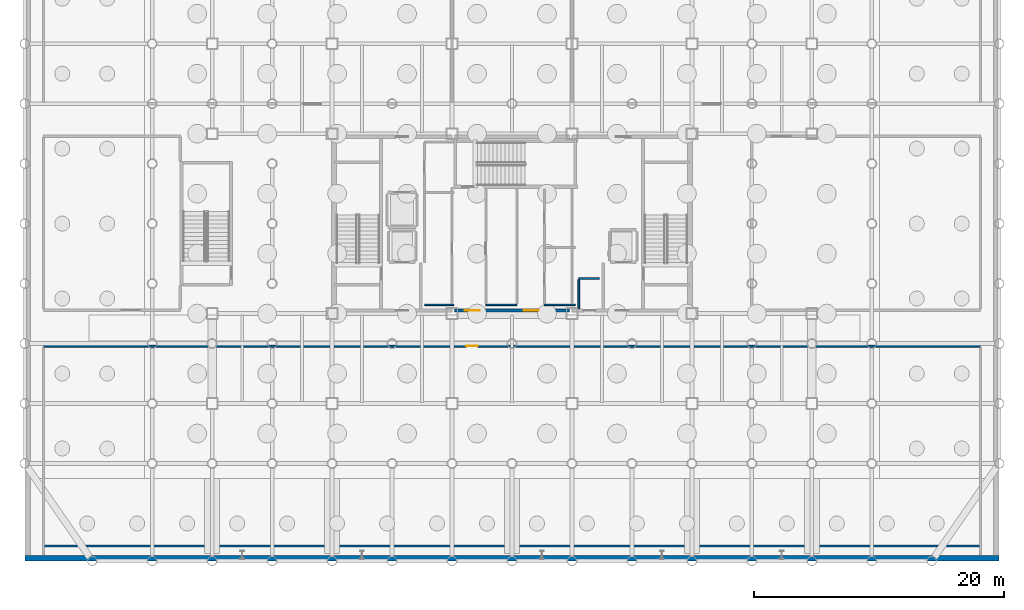
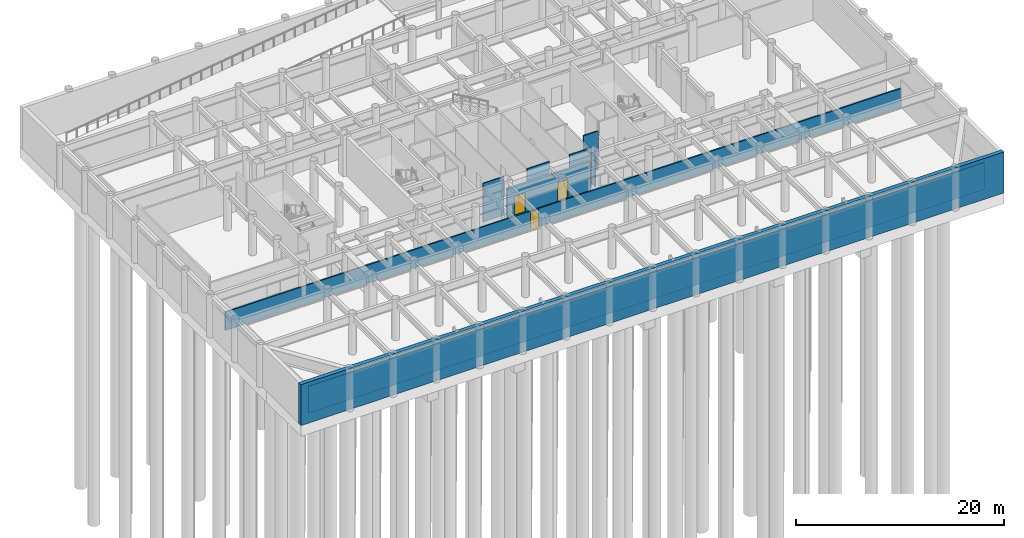
# One storey, part 10 of 17: 9 walls, 3 doors, 3 openings.
"""IFC4 building model written with IfcOpenShell, lengths in metres."""

from ifc_helpers import new_model, si_unit, direction, frame, frame_2d, origin, place, context, subcontext, project, spatial, rectangle, extrude, material, layer, layer_set, type_object, element, fill, save


model = new_model("IFC4")

# Units and contexts
model_context = context("Model", 3, precision=1e-05, world=origin(), true_north=direction((0.0, 1.0)))
body_context = subcontext(model_context, "Body", "Model", "MODEL_VIEW")
ifc_project = project(units=[si_unit("LENGTHUNIT", "METRE"), si_unit("AREAUNIT", "SQUARE_METRE"), si_unit("VOLUMEUNIT", "CUBIC_METRE"), si_unit("PLANEANGLEUNIT", "RADIAN"), si_unit("MASSUNIT", "GRAM", prefix="KILO")], contexts=[model_context])

# Site, building, storey
site_placement = place(None, origin())
site = spatial("IfcSite", under=ifc_project, at=site_placement, CompositionType="ELEMENT")
building_placement = place(site_placement, origin())
building = spatial("IfcBuilding", under=site, at=building_placement, Name="Kallvorn Hotel Tower", CompositionType="ELEMENT")
storey_placement = place(building_placement, frame((0.0, 0.0, -10.199951171875)))
storey = spatial("IfcBuildingStorey", under=building, at=storey_placement, Name="B2", CompositionType="ELEMENT", Elevation=-10.199951171875)

# Walls
ifc_material_1 = material(Name="Fire-rated double-layer acoustic gypsum drywall EI 60")
ifc_layer_1 = layer(ifc_material_1, 0.1201171875)
ifc_layer_set_1 = layer_set([ifc_layer_1], Name="WL_INT_120")
wall_type_1 = type_object("IfcWallType", Name="WL_INT_120", PredefinedType="PARTITIONING", material=ifc_layer_set_1)
wall_1_placement = place(storey_placement, frame((-7.0, -6.5, 0.0), z_axis=(0.0, 0.0, 1.0), x_axis=(1.0, 0.0, 0.0)))
element("IfcWall", 1, at=wall_1_placement, inside=storey, type_object=wall_type_1, Name="B2 Basement Core Linen and Equipment Store Partition", PredefinedType="PARTITIONING", context=body_context, shape_type="SweptSolid", body=[
    extrude(rectangle(XDim=2.35009765625, YDim=0.1201171875, at=frame_2d((1.175048828125, 0.0))), origin(), (0.0, 0.0, 1.0), 4.550048828125),
])
wall_2_placement = place(storey_placement, frame((-2.10009765625, -6.5, 0.0), z_axis=(0.0, 0.0, 1.0), x_axis=(1.0, 0.0, 0.0)))
element("IfcWall", 2, at=wall_2_placement, inside=storey, type_object=wall_type_1, Name="B2 Basement Mechanical Services Room Partition", PredefinedType="PARTITIONING", context=body_context, shape_type="SweptSolid", body=[
    extrude(rectangle(XDim=2.5, YDim=0.1201171875, at=frame_2d((1.25, 0.0))), origin(), (0.0, 0.0, 1.0), 4.550048828125),
])
wall_3_placement = place(storey_placement, frame((2.60009765625, -6.5, 0.0), z_axis=(0.0, 0.0, 1.0), x_axis=(1.0, 0.0, 0.0)))
element("IfcWall", 3, at=wall_3_placement, inside=storey, type_object=wall_type_1, Name="B2 East Core Amenities and Minibar Store Partition", PredefinedType="PARTITIONING", context=body_context, shape_type="SweptSolid", body=[
    extrude(rectangle(XDim=2.449951171875, YDim=0.1201171875, at=frame_2d((1.22509765625, 0.0))), origin(), (0.0, 0.0, 1.0), 4.550048828125),
])
ifc_material_2 = material(Name="Fire-rated double-layer acoustic gypsum drywall EI 60")
ifc_layer_2 = layer(ifc_material_2, 0.14990234375)
ifc_layer_set_2 = layer_set([ifc_layer_2], Name="WL_PART_150")
wall_type_2 = type_object("IfcWallType", Name="WL_PART_150", PredefinedType="PARTITIONING", material=ifc_layer_set_2)
wall_4_placement = place(storey_placement, frame((-37.5, -25.800048828125, 0.0), z_axis=(0.0, 0.0, 1.0), x_axis=(1.0, 0.0, 0.0)))
element("IfcWall", 4, at=wall_4_placement, inside=storey, type_object=wall_type_2, Name="B2 Basement Two-Way Loop Car Park Deck Partition", PredefinedType="PARTITIONING", context=body_context, shape_type="SweptSolid", body=[
    extrude(rectangle(XDim=75.0, YDim=0.14990234375, at=frame_2d((37.5, 0.0))), origin(), (0.0, 0.0, 1.0), 3.14990234375),
])

# Wall, opening, door
wall_5_placement = place(storey_placement, frame((-37.5, -9.800048828125, 0.0), z_axis=(0.0, 0.0, 1.0), x_axis=(1.0, 0.0, 0.0)))
wall_5 = element("IfcWall", 5, at=wall_5_placement, inside=storey, type_object=wall_type_2, Name="B2 Basement Two-Way Loop Car Park Deck Partition", PredefinedType="PARTITIONING", context=body_context, shape_type="SweptSolid", body=[
    extrude(rectangle(XDim=75.0, YDim=0.14990234375, at=frame_2d((37.5, 0.0))), origin(), (0.0, 0.0, 1.0), 2.14990234375),
])
opening_1_placement = place(wall_5_placement, frame((33.85009765625, 0.0, 0.0)))
opening_1 = element("IfcOpeningElement", 6, at=opening_1_placement, cuts=wall_5, Name="Opening SVD1A", PredefinedType="OPENING", context=body_context, shape_type="SweptSolid", body=[
    extrude(rectangle(XDim=0.89990234375, YDim=2.02001953125, at=frame_2d((0.449951171875, 1.010009765625))), frame((0.0, 0.08984375, 0.0), z_axis=(0.0, -1.0, 0.0), x_axis=(1.0, 0.0, 0.0)), (0.0, 0.0, 1.0), 0.179931640625),
])
ifc_material_3 = material(Name="Galvanised painted steel fire-rated door assembly", Category="steel")
door_type_1 = type_object("IfcDoorType", Name="DR_SERV_900x2020", OperationType="NOTDEFINED", PredefinedType="DOOR", material=ifc_material_3)
door_1_placement = place(opening_1_placement, origin())
door_1 = element("IfcDoor", 7, at=door_1_placement, inside=storey, type_object=door_type_1, Name="B2 Basement Two-Way Loop Car Park Deck Door", OperationType="SINGLE_SWING_LEFT", OverallHeight=2.02001953125, OverallWidth=0.89990234375, PredefinedType="DOOR", context=body_context, shape_type="SweptSolid", body=[
    extrude(rectangle(XDim=0.89990234375, YDim=2.02001953125, at=frame_2d((0.449951171875, 1.010009765625))), frame((0.0, 0.02490234375, 0.0), z_axis=(0.0, -1.0, 0.0), x_axis=(1.0, 0.0, 0.0)), (0.0, 0.0, 1.0), 0.050048828125),
])
fill(opening_1, door_1)

# Walls
ifc_material_4 = material(Name="Moisture-resistant acoustic plumbing chase wall EI 60")
ifc_layer_3 = layer(ifc_material_4, 0.139892578125)
ifc_layer_set_3 = layer_set([ifc_layer_3], Name="WL_PLUMB_140")
wall_type_3 = type_object("IfcWallType", Name="WL_PLUMB_140", PredefinedType="PLUMBINGWALL", material=ifc_layer_set_3)
wall_6_placement = place(storey_placement, frame((5.35009765625, -4.39990234375, 0.0), z_axis=(0.0, 0.0, 1.0), x_axis=(1.0, 0.0, 0.0)))
element("IfcWall", 8, at=wall_6_placement, inside=storey, type_object=wall_type_3, Name="B2 Core Staff Restroom WC Partition", PredefinedType="PLUMBINGWALL", context=body_context, shape_type="SweptSolid", body=[
    extrude(rectangle(XDim=1.64990234375, YDim=0.139892578125, at=frame_2d((0.824951171875, 0.0))), origin(), (0.0, 0.0, 1.0), 4.550048828125),
])
wall_7_placement = place(storey_placement, frame((5.35009765625, -6.800048828125, 0.0), z_axis=(0.0, 0.0, 1.0), x_axis=(0.0, 1.0, 0.0)))
element("IfcWall", 9, at=wall_7_placement, inside=storey, type_object=wall_type_3, Name="B2 Core Staff Restroom WC Partition", PredefinedType="PLUMBINGWALL", context=body_context, shape_type="SweptSolid", body=[
    extrude(rectangle(XDim=2.31494140625, YDim=0.139892578125, at=frame_2d((1.157470703125, 0.0))), origin(), (0.0, 0.0, 1.0), 3.550048828125),
])
ifc_material_5 = material(Name="Concrete C40/50", Category="concrete")
ifc_layer_4 = layer(ifc_material_5, 0.449951171875)
ifc_layer_set_4 = layer_set([ifc_layer_4], Name="WL_RET_450")
wall_type_4 = type_object("IfcWallType", Name="WL_RET_450", PredefinedType="SOLIDWALL", material=ifc_layer_set_4)
wall_8_placement = place(storey_placement, frame((-39.0, -26.77490234375, -0.25), z_axis=(0.0, 0.0, 1.0), x_axis=(1.0, 0.0, 0.0)))
element("IfcWall", 10, at=wall_8_placement, inside=storey, type_object=wall_type_4, Name="B2 Perimeter Retaining Wall S", PredefinedType="SOLIDWALL", context=body_context, shape_type="SweptSolid", body=[
    extrude(rectangle(XDim=78.0, YDim=0.449951171875, at=frame_2d((39.0, 0.0))), origin(), (0.0, 0.0, 1.0), 4.800048828125),
])

# Wall, openings, doors
ifc_material_6 = material(Name="Concrete C40/50", Category="concrete")
ifc_layer_5 = layer(ifc_material_6, 0.25)
ifc_layer_set_5 = layer_set([ifc_layer_5], Name="WL_SHAFT_250")
wall_type_5 = type_object("IfcWallType", Name="WL_SHAFT_250", PredefinedType="SOLIDWALL", material=ifc_layer_set_5)
wall_9_placement = place(storey_placement, frame((-4.60009765625, -6.949951171875, 0.0), z_axis=(0.0, 0.0, 1.0), x_axis=(1.0, 0.0, 0.0)))
wall_9 = element("IfcWall", 11, at=wall_9_placement, inside=storey, type_object=wall_type_5, Name="B2 Core South-Central Wall", PredefinedType="SOLIDWALL", context=body_context, shape_type="SweptSolid", body=[
    extrude(rectangle(XDim=9.2001953125, YDim=0.25, at=frame_2d((4.60009765625, 0.0))), origin(), (0.0, 0.0, 1.0), 3.349853515625),
])
opening_2_placement = place(wall_9_placement, frame((0.800048828125, 0.0, 0.0)))
opening_2 = element("IfcOpeningElement", 12, at=opening_2_placement, cuts=wall_9, Name="Opening FD2", PredefinedType="OPENING", context=body_context, shape_type="SweptSolid", body=[
    extrude(rectangle(XDim=1.199951171875, YDim=2.199951171875, at=frame_2d((0.60009765625, 1.10009765625))), frame((0.0, 0.139892578125, 0.0), z_axis=(0.0, -1.0, 0.0), x_axis=(1.0, 0.0, 0.0)), (0.0, 0.0, 1.0), 0.280029296875),
])
opening_3_placement = place(wall_9_placement, frame((5.550048828125, 0.0, 0.0)))
opening_3 = element("IfcOpeningElement", 13, at=opening_3_placement, cuts=wall_9, Name="Opening FD2", PredefinedType="OPENING", context=body_context, shape_type="SweptSolid", body=[
    extrude(rectangle(XDim=1.199951171875, YDim=2.199951171875, at=frame_2d((0.60009765625, 1.10009765625))), frame((0.0, 0.139892578125, 0.0), z_axis=(0.0, -1.0, 0.0), x_axis=(1.0, 0.0, 0.0)), (0.0, 0.0, 1.0), 0.280029296875),
])
ifc_material_7 = material(Name="Galvanised painted steel fire-rated door assembly", Category="steel")
door_type_2 = type_object("IfcDoorType", Name="DR_LOBBY_1200x2200", OperationType="DOUBLE_DOOR_SINGLE_SWING", PredefinedType="DOOR", material=ifc_material_7)
door_2_placement = place(opening_2_placement, origin())
door_2 = element("IfcDoor", 14, at=door_2_placement, inside=storey, type_object=door_type_2, Name="B2 West Passenger Lift Lobby Door", OperationType="DOUBLE_DOOR_SINGLE_SWING", OverallHeight=2.199951171875, OverallWidth=1.199951171875, PredefinedType="DOOR", context=body_context, shape_type="SweptSolid", body=[
    extrude(rectangle(XDim=1.199951171875, YDim=2.199951171875, at=frame_2d((0.60009765625, 1.10009765625))), frame((0.0, 0.02490234375, 0.0), z_axis=(0.0, -1.0, 0.0), x_axis=(1.0, 0.0, 0.0)), (0.0, 0.0, 1.0), 0.050048828125),
])
fill(opening_2, door_2)
door_3_placement = place(opening_3_placement, origin())
door_3 = element("IfcDoor", 15, at=door_3_placement, inside=storey, type_object=door_type_2, Name="B2 East Passenger Lift Lobby Door", OperationType="DOUBLE_DOOR_SINGLE_SWING", OverallHeight=2.199951171875, OverallWidth=1.199951171875, PredefinedType="DOOR", context=body_context, shape_type="SweptSolid", body=[
    extrude(rectangle(XDim=1.199951171875, YDim=2.199951171875, at=frame_2d((0.60009765625, 1.10009765625))), frame((0.0, 0.02490234375, 0.0), z_axis=(0.0, -1.0, 0.0), x_axis=(1.0, 0.0, 0.0)), (0.0, 0.0, 1.0), 0.050048828125),
])
fill(opening_3, door_3)

save(model, "model.ifc")
